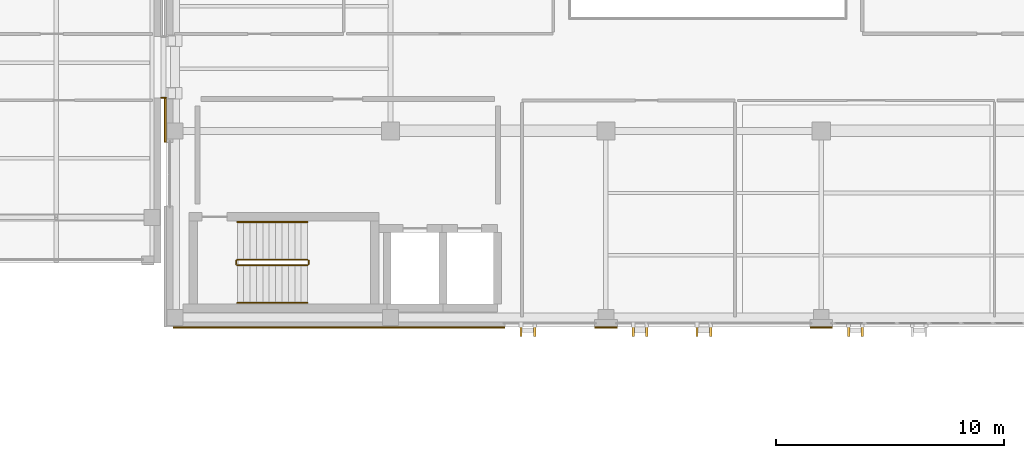
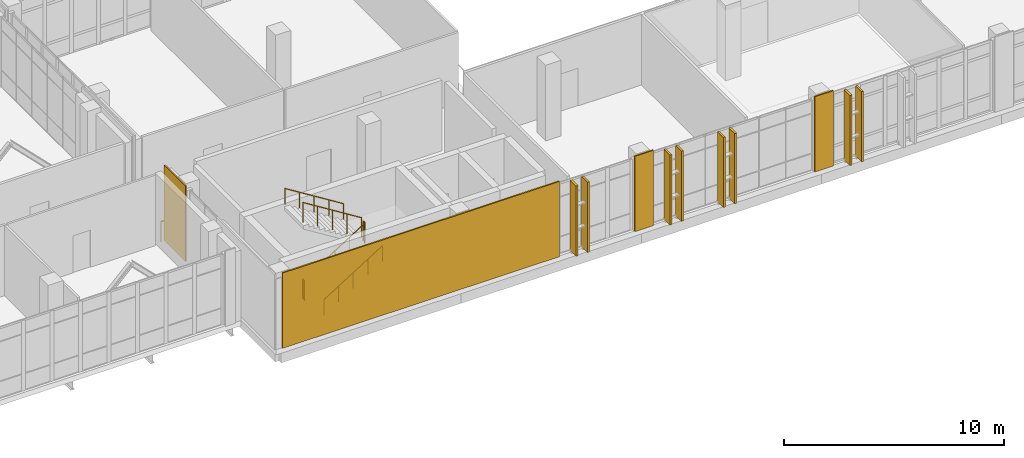
# One storey, part 173 of 193: 8 shading devices, 7 railings, 4 coverings.
"""IFC4 building model written with IfcOpenShell, lengths in metres."""

from ifc_helpers import new_model, si_unit, direction, frame, origin, origin_2d, place, context, subcontext, project, spatial, rectangle, circle, extrude, material, layer, layer_set, type_object, element, save


model = new_model("IFC4")

# Units and contexts
model_context = context("Model", 3, precision=1e-05, world=origin(), true_north=direction((0.0, 1.0)))
body_context = subcontext(model_context, "Body", "Model", "MODEL_VIEW")
ifc_project = project(units=[si_unit("LENGTHUNIT", "METRE"), si_unit("AREAUNIT", "SQUARE_METRE"), si_unit("VOLUMEUNIT", "CUBIC_METRE"), si_unit("PLANEANGLEUNIT", "RADIAN"), si_unit("MASSUNIT", "GRAM", prefix="KILO")], contexts=[model_context])

# Site, building, storey
site_placement = place(None, origin())
site = spatial("IfcSite", under=ifc_project, at=site_placement, CompositionType="ELEMENT")
building_placement = place(site_placement, origin())
building = spatial("IfcBuilding", under=site, at=building_placement, Name="Qalavern Law Courts", CompositionType="ELEMENT")
storey_placement = place(building_placement, frame((0.0, 0.0, 10.199951171875)))
storey = spatial("IfcBuildingStorey", under=building, at=storey_placement, Name="L02", CompositionType="ELEMENT", Elevation=10.199951171875)

# Railing
ifc_material_1 = material(Name="Steel S355", Category="steel")
railing_type_1 = type_object("IfcRailingType", Name="ENV-BAL-1120", PredefinedType="BALUSTRADE", material=ifc_material_1)
railing_1_placement = place(storey_placement, frame((34.0, 15.260009765625, 0.0)))
element("IfcRailing", 1, at=railing_1_placement, inside=storey, type_object=railing_type_1, Name="Bridge BR-V1-V2 joint guard L02-1", PredefinedType="BALUSTRADE", context=body_context, shape_type="SweptSolid", body=[
    extrude(circle(Radius=0.02392578125, at=origin_2d()), frame((0.0, 0.0, 1.09619140625), z_axis=(1.0, 0.0, 0.0), x_axis=(0.0, 1.0, 0.0)), (0.0, 0.0, 1.0), 0.219970703125),
    extrude(circle(Radius=0.02099609375, at=origin_2d()), origin(), (0.0, 0.0, 1.0), 1.072021484375),
    extrude(circle(Radius=0.02099609375, at=origin_2d()), frame((0.219970703125, 0.0, 0.0)), (0.0, 0.0, 1.0), 1.072021484375),
])

# Coverings
ifc_material_2 = material(Name="Precast concrete C40/50", Category="concrete")
ifc_layer = layer(ifc_material_2, 0.072021484375)
ifc_layer_set = layer_set([ifc_layer], Name="Precast concrete C40/50")
covering_type = type_object("IfcCoveringType", Name="ENV-CLD-2", PredefinedType="CLADDING", material=ifc_layer_set)
covering_1_placement = place(storey_placement, frame((41.8125, 5.1669921875, 0.01025390625), z_axis=(0.0, 0.0, 1.0), x_axis=(1.0, 0.0, 0.0)))
element("IfcCovering", 2, at=covering_1_placement, inside=storey, type_object=covering_type, Name="V2 Absheron limestone pier facing L02 south 1", PredefinedType="CLADDING", context=body_context, shape_type="SweptSolid", body=[
    extrude(rectangle(XDim=14.554931640625, YDim=0.072021484375, at=origin_2d()), origin(), (0.0, 0.0, 1.0), 4.179931640625),
])
for number, where, z_axis, x_axis, name in (
    (3, (53.528564453125, 5.1669921875, 0.01025390625), (0.0, 0.0, 1.0), (1.0, 0.0, 0.0), "V2 Absheron limestone pier facing L02 south 2"),
    (4, (62.98291015625, 5.1669921875, 0.01025390625), (0.0, 0.0, 1.0), (1.0, 0.0, 0.0), "V2 Absheron limestone pier facing L02 south 3"),
):
    element("IfcCovering", number, at=place(storey_placement, frame(where, z_axis=z_axis, x_axis=x_axis)), inside=storey, type_object=covering_type, Name=name, PredefinedType="CLADDING", context=body_context, shape_type="SweptSolid", body=[
        extrude(rectangle(XDim=0.97998046875, YDim=0.072021484375, at=origin_2d()), origin(), (0.0, 0.0, 1.0), 4.179931640625),
    ])
covering_2_placement = place(storey_placement, frame((34.18701171875, 14.27490234375, 0.01025390625), z_axis=(0.0, 0.0, 1.0), x_axis=(0.0, -1.0, 0.0)))
element("IfcCovering", 5, at=covering_2_placement, inside=storey, type_object=covering_type, Name="V2 Absheron limestone pier facing L02 west 1", PredefinedType="CLADDING", context=body_context, shape_type="SweptSolid", body=[
    extrude(rectangle(XDim=1.929931640625, YDim=0.072021484375, at=origin_2d()), origin(), (0.0, 0.0, 1.0), 4.179931640625),
])

# Shading devices
shading_device_type = type_object("IfcShadingDeviceType", Name="ENV-FIN-2", PredefinedType="USERDEFINED", material=ifc_material_2)
for number, where, z_axis, x_axis, name in (
    (6, (49.800048828125, 5.044921875, 0.010009765625), (0.0, 0.0, 1.0), (0.0, -1.0, 0.0), "Hall solar shading fin 0049"),
    (7, (50.39990234375, 5.044921875, 0.010009765625), (0.0, 0.0, 1.0), (0.0, -1.0, 0.0), "Hall solar shading fin 0050"),
    (8, (54.728515625, 5.044921875, 0.010009765625), (0.0, 0.0, 1.0), (0.0, -1.0, 0.0), "Hall solar shading fin 0051"),
    (9, (55.32861328125, 5.044921875, 0.010009765625), (0.0, 0.0, 1.0), (0.0, -1.0, 0.0), "Hall solar shading fin 0052"),
    (10, (57.528564453125, 5.044921875, 0.010009765625), (0.0, 0.0, 1.0), (0.0, -1.0, 0.0), "Hall solar shading fin 0053"),
    (11, (58.128662109375, 5.044921875, 0.010009765625), (0.0, 0.0, 1.0), (0.0, -1.0, 0.0), "Hall solar shading fin 0054"),
    (12, (64.182861328125, 5.044921875, 0.010009765625), (0.0, 0.0, 1.0), (0.0, -1.0, 0.0), "Hall solar shading fin 0055"),
    (13, (64.782958984375, 5.044921875, 0.010009765625), (0.0, 0.0, 1.0), (0.0, -1.0, 0.0), "Hall solar shading fin 0056"),
):
    element("IfcShadingDevice", number, at=place(storey_placement, frame(where, z_axis=z_axis, x_axis=x_axis)), inside=storey, type_object=shading_device_type, Name=name, ObjectType="FIN", PredefinedType="USERDEFINED", context=body_context, shape_type="SweptSolid", body=[
        extrude(rectangle(XDim=0.5400390625, YDim=0.10498046875, at=origin_2d()), origin(), (0.0, 0.0, 1.0), 3.89501953125),
    ])

# Railings
railing_type_2 = type_object("IfcRailingType", Name="INT-GUARD-1120", PredefinedType="BALUSTRADE", material=ifc_material_1)
railing_2_placement = place(storey_placement, frame((37.35009765625, 7.89990234375, 0.175048828125)))
element("IfcRailing", 14, at=railing_2_placement, inside=storey, type_object=railing_type_2, Name="L02 ST-K4 stair guard 1", PredefinedType="BALUSTRADE", context=body_context, shape_type="SweptSolid", body=[
    extrude(circle(Radius=0.02392578125, at=origin_2d()), frame((0.0, 0.0, 1.09619140625), z_axis=(0.847979421464, 0.0, 0.530029150871), x_axis=(0.0, 1.0, 0.0)), (0.0, 0.0, 1.0), 3.632080078125),
    extrude(circle(Radius=0.02099609375, at=origin_2d()), origin(), (0.0, 0.0, 1.0), 1.072021484375),
    extrude(circle(Radius=0.02099609375, at=origin_2d()), frame((0.77001953125, 0.0, 0.481201171875)), (0.0, 0.0, 1.0), 1.072021484375),
    extrude(circle(Radius=0.02099609375, at=origin_2d()), frame((1.5400390625, 0.0, 0.96240234375)), (0.0, 0.0, 1.0), 1.072021484375),
    extrude(circle(Radius=0.02099609375, at=origin_2d()), frame((2.309814453125, 0.0, 1.44384765625)), (0.0, 0.0, 1.0), 1.072021484375),
    extrude(circle(Radius=0.02099609375, at=origin_2d()), frame((3.079833984375, 0.0, 1.925048828125)), (0.0, 0.0, 1.0), 1.072021484375),
])
railing_3_placement = place(storey_placement, frame((40.47998046875, 7.949951171875, 2.10009765625)))
element("IfcRailing", 15, at=railing_3_placement, inside=storey, type_object=railing_type_2, Name="L02 ST-K4 stair guard 2", PredefinedType="BALUSTRADE", context=body_context, shape_type="SweptSolid", body=[
    extrude(circle(Radius=0.02392578125, at=origin_2d()), frame((0.0, 0.0, 1.09619140625), z_axis=(0.0, 1.0, 0.0), x_axis=(-1.0, 0.0, 0.0)), (0.0, 0.0, 1.0), 0.150146484375),
    extrude(circle(Radius=0.02099609375, at=origin_2d()), origin(), (0.0, 0.0, 1.0), 1.072021484375),
    extrude(circle(Radius=0.02099609375, at=origin_2d()), frame((0.0, 0.150146484375, 0.0)), (0.0, 0.0, 1.0), 1.072021484375),
])
railing_4_placement = place(storey_placement, frame((40.429931640625, 8.14990234375, 2.275146484375)))
element("IfcRailing", 16, at=railing_4_placement, inside=storey, type_object=railing_type_2, Name="L02 ST-K4 stair guard 3", PredefinedType="BALUSTRADE", context=body_context, shape_type="SweptSolid", body=[
    extrude(circle(Radius=0.02392578125, at=origin_2d()), frame((0.0, 0.0, 1.09619140625), z_axis=(-0.848009633417, 0.0, 0.529980812513), x_axis=(0.0, -1.0, 0.0)), (0.0, 0.0, 1.0), 3.6318359375),
    extrude(circle(Radius=0.02099609375, at=origin_2d()), origin(), (0.0, 0.0, 1.0), 1.072021484375),
    extrude(circle(Radius=0.02099609375, at=origin_2d()), frame((-0.77001953125, 0.0, 0.481201171875)), (0.0, 0.0, 1.0), 1.072021484375),
    extrude(circle(Radius=0.02099609375, at=origin_2d()), frame((-1.5400390625, 0.0, 0.96240234375)), (0.0, 0.0, 1.0), 1.072021484375),
    extrude(circle(Radius=0.02099609375, at=origin_2d()), frame((-2.309814453125, 0.0, 1.443603515625)), (0.0, 0.0, 1.0), 1.072021484375),
    extrude(circle(Radius=0.02099609375, at=origin_2d()), frame((-3.079833984375, 0.0, 1.9248046875)), (0.0, 0.0, 1.0), 1.072021484375),
])
railing_5_placement = place(storey_placement, frame((37.300048828125, 7.949951171875, 0.0)))
element("IfcRailing", 17, at=railing_5_placement, inside=storey, type_object=railing_type_2, Name="L02 ST-K4 stair guard 4", PredefinedType="BALUSTRADE", context=body_context, shape_type="SweptSolid", body=[
    extrude(circle(Radius=0.02392578125, at=origin_2d()), frame((0.0, 0.0, 1.09619140625), z_axis=(0.0, 1.0, 0.0), x_axis=(-1.0, 0.0, 0.0)), (0.0, 0.0, 1.0), 0.150146484375),
    extrude(circle(Radius=0.02099609375, at=origin_2d()), origin(), (0.0, 0.0, 1.0), 1.072021484375),
    extrude(circle(Radius=0.02099609375, at=origin_2d()), frame((0.0, 0.150146484375, 0.0)), (0.0, 0.0, 1.0), 1.072021484375),
])
railing_type_3 = type_object("IfcRailingType", Name="INT-HRAIL-920", PredefinedType="HANDRAIL", material=ifc_material_1)
railing_6_placement = place(storey_placement, frame((37.35009765625, 6.25, 0.175048828125)))
element("IfcRailing", 18, at=railing_6_placement, inside=storey, type_object=railing_type_3, Name="L02 ST-K4 stair handrail 1", PredefinedType="HANDRAIL", context=body_context, shape_type="SweptSolid", body=[
    extrude(circle(Radius=0.02392578125, at=origin_2d()), frame((0.0, 0.0, 0.8759765625), z_axis=(0.847979421464, 0.0, 0.530029150871), x_axis=(0.0, 1.0, 0.0)), (0.0, 0.0, 1.0), 3.632080078125),
    extrude(circle(Radius=0.02099609375, at=origin_2d()), origin(), (0.0, 0.0, 1.0), 0.851806640625),
    extrude(circle(Radius=0.02099609375, at=origin_2d()), frame((0.77001953125, 0.0, 0.481201171875)), (0.0, 0.0, 1.0), 0.851806640625),
    extrude(circle(Radius=0.02099609375, at=origin_2d()), frame((1.5400390625, 0.0, 0.96240234375)), (0.0, 0.0, 1.0), 0.851806640625),
    extrude(circle(Radius=0.02099609375, at=origin_2d()), frame((2.309814453125, 0.0, 1.44384765625)), (0.0, 0.0, 1.0), 0.851806640625),
    extrude(circle(Radius=0.02099609375, at=origin_2d()), frame((3.079833984375, 0.0, 1.925048828125)), (0.0, 0.0, 1.0), 0.851806640625),
])
railing_7_placement = place(storey_placement, frame((40.429931640625, 9.800048828125, 2.275146484375)))
element("IfcRailing", 19, at=railing_7_placement, inside=storey, type_object=railing_type_3, Name="L02 ST-K4 stair handrail 2", PredefinedType="HANDRAIL", context=body_context, shape_type="SweptSolid", body=[
    extrude(circle(Radius=0.02392578125, at=origin_2d()), frame((0.0, 0.0, 0.8759765625), z_axis=(-0.848009633417, 0.0, 0.529980812513), x_axis=(0.0, -1.0, 0.0)), (0.0, 0.0, 1.0), 3.6318359375),
    extrude(circle(Radius=0.02099609375, at=origin_2d()), origin(), (0.0, 0.0, 1.0), 0.851806640625),
    extrude(circle(Radius=0.02099609375, at=origin_2d()), frame((-0.77001953125, 0.0, 0.481201171875)), (0.0, 0.0, 1.0), 0.851806640625),
    extrude(circle(Radius=0.02099609375, at=origin_2d()), frame((-1.5400390625, 0.0, 0.96240234375)), (0.0, 0.0, 1.0), 0.851806640625),
    extrude(circle(Radius=0.02099609375, at=origin_2d()), frame((-2.309814453125, 0.0, 1.443603515625)), (0.0, 0.0, 1.0), 0.851806640625),
    extrude(circle(Radius=0.02099609375, at=origin_2d()), frame((-3.079833984375, 0.0, 1.9248046875)), (0.0, 0.0, 1.0), 0.851806640625),
])

save(model, "model.ifc")
